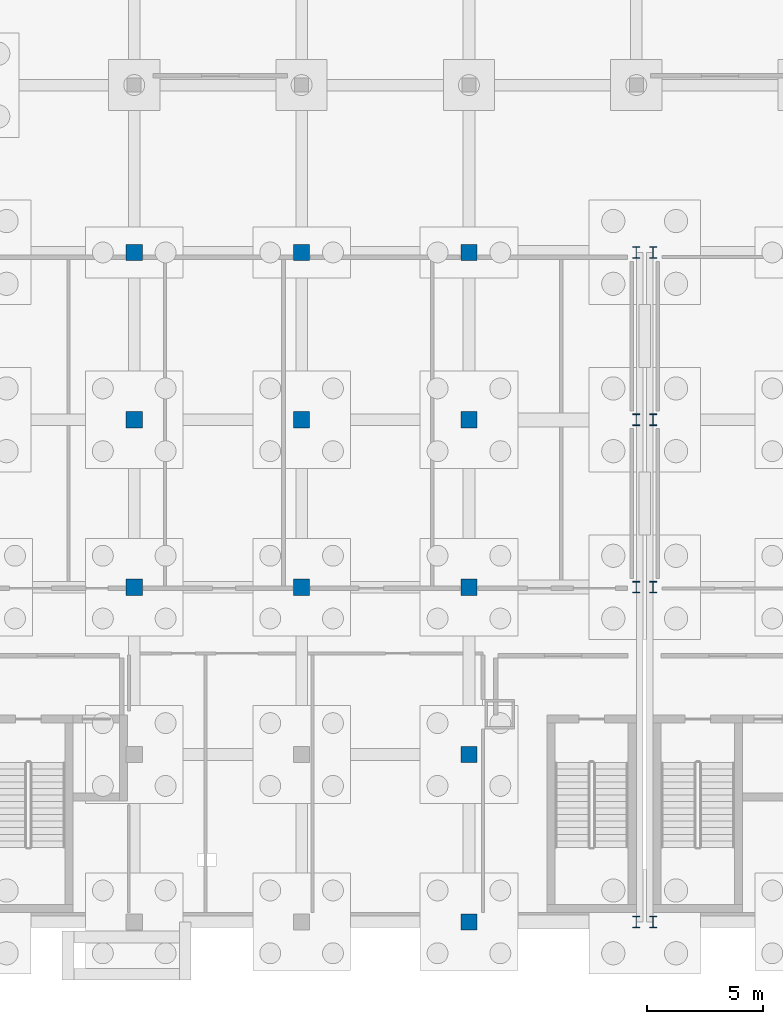
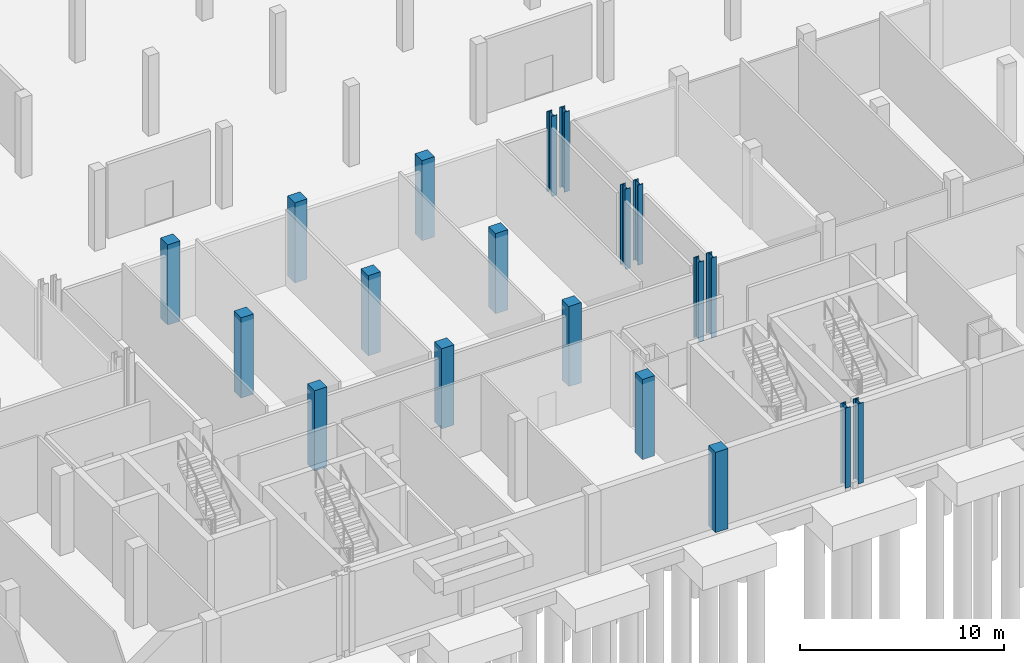
# One storey, part 10 of 35: 19 columns.
"""IFC4 building model written with IfcOpenShell, lengths in metres."""

from ifc_helpers import new_model, si_unit, direction, frame, origin, origin_2d, place, context, subcontext, project, spatial, rectangle, i_section, extrude, material, material_profile, profile_set, type_object, element, save


model = new_model("IFC4")

# Units and contexts
model_context = context("Model", 3, precision=1e-05, world=origin(), true_north=direction((0.0, 1.0)))
body_context = subcontext(model_context, "Body", "Model", "MODEL_VIEW")
ifc_project = project(units=[si_unit("LENGTHUNIT", "METRE"), si_unit("AREAUNIT", "SQUARE_METRE"), si_unit("VOLUMEUNIT", "CUBIC_METRE"), si_unit("PLANEANGLEUNIT", "RADIAN"), si_unit("MASSUNIT", "GRAM", prefix="KILO")], contexts=[model_context])

# Site, building, storey
site_placement = place(None, origin())
site = spatial("IfcSite", under=ifc_project, at=site_placement, CompositionType="ELEMENT")
building_placement = place(site_placement, origin())
building = spatial("IfcBuilding", under=site, at=building_placement, Name="Zarrinpeak Specialist Clinic", CompositionType="ELEMENT")
storey_placement = place(building_placement, frame((0.0, 0.0, -4.800048828125)))
storey = spatial("IfcBuildingStorey", under=building, at=storey_placement, Name="B01", CompositionType="ELEMENT", Elevation=-4.800048828125)

# Columns
ifc_material_1 = material(Name="Steel S355", Category="steel")
ifc_material_profile_1 = material_profile(ifc_material_1, i_section(OverallWidth=0.300048828125, OverallDepth=0.5, WebThickness=0.014404296875, FlangeThickness=0.028076171875, FilletRadius=0.027099609375, at=origin_2d()), Name="HEB 500")
ifc_profile_set_1 = profile_set([ifc_material_profile_1], Name="Steel S355")
column_type_1 = type_object("IfcColumnType", Name="COL-HEB500", PredefinedType="COLUMN", material=ifc_profile_set_1)
for number, where, z_axis, x_axis, name in (
    (1, (57.60009765625, 0.0, 0.0), (0.0, 0.0, 1.0), (1.0, 0.0, 0.0), "B01 Structural Column COL-B01-122"),
    (2, (57.60009765625, 14.39990234375, 0.0), (0.0, 0.0, 1.0), (1.0, 0.0, 0.0), "B01 Structural Column COL-B01-123"),
    (3, (57.60009765625, 21.60009765625, 0.0), (0.0, 0.0, 1.0), (1.0, 0.0, 0.0), "B01 Structural Column COL-B01-124"),
    (4, (57.60009765625, 28.800048828125, 0.0), (0.0, 0.0, 1.0), (1.0, 0.0, 0.0), "B01 Structural Column COL-B01-125"),
    (5, (58.320068359375, 0.0, 0.0), (0.0, 0.0, 1.0), (1.0, 0.0, 0.0), "B01 Structural Column COL-B01-139"),
    (6, (58.320068359375, 14.39990234375, 0.0), (0.0, 0.0, 1.0), (1.0, 0.0, 0.0), "B01 Structural Column COL-B01-140"),
    (7, (58.320068359375, 21.60009765625, 0.0), (0.0, 0.0, 1.0), (1.0, 0.0, 0.0), "B01 Structural Column COL-B01-141"),
    (8, (58.320068359375, 28.800048828125, 0.0), (0.0, 0.0, 1.0), (1.0, 0.0, 0.0), "B01 Structural Column COL-B01-142"),
):
    element("IfcColumn", number, at=place(storey_placement, frame(where, z_axis=z_axis, x_axis=x_axis)), inside=storey, type_object=column_type_1, Name=name, PredefinedType="COLUMN", context=body_context, shape_type="SweptSolid", body=[
        extrude(i_section(OverallWidth=0.300048828125, OverallDepth=0.5, WebThickness=0.014404296875, FlangeThickness=0.028076171875, FilletRadius=0.027099609375, at=origin_2d()), origin(), (0.0, 0.0, 1.0), 4.800048828125),
    ])
ifc_material_2 = material(Name="Concrete C40/50", Category="concrete")
ifc_material_profile_2 = material_profile(ifc_material_2, rectangle(XDim=0.699951171875, YDim=0.699951171875, at=origin_2d()), Name="RC 700x700")
ifc_profile_set_2 = profile_set([ifc_material_profile_2], Name="Concrete C40/50")
column_type_2 = type_object("IfcColumnType", Name="COL-RC700", PredefinedType="COLUMN", material=ifc_profile_set_2)
for number, where, z_axis, x_axis, name in (
    (9, (36.0, 14.39990234375, 0.0), (0.0, 0.0, 1.0), (1.0, 0.0, 0.0), "B01 Structural Column COL-B01-071"),
    (10, (36.0, 21.60009765625, 0.0), (0.0, 0.0, 1.0), (1.0, 0.0, 0.0), "B01 Structural Column COL-B01-072"),
    (11, (36.0, 28.800048828125, 0.0), (0.0, 0.0, 1.0), (1.0, 0.0, 0.0), "B01 Structural Column COL-B01-073"),
    (12, (43.199951171875, 14.39990234375, 0.0), (0.0, 0.0, 1.0), (1.0, 0.0, 0.0), "B01 Structural Column COL-B01-088"),
    (13, (43.199951171875, 21.60009765625, 0.0), (0.0, 0.0, 1.0), (1.0, 0.0, 0.0), "B01 Structural Column COL-B01-089"),
    (14, (43.199951171875, 28.800048828125, 0.0), (0.0, 0.0, 1.0), (1.0, 0.0, 0.0), "B01 Structural Column COL-B01-090"),
    (15, (50.39990234375, 0.0, 0.0), (0.0, 0.0, 1.0), (1.0, 0.0, 0.0), "B01 Structural Column COL-B01-104"),
    (16, (50.39990234375, 7.199951171875, 0.0), (0.0, 0.0, 1.0), (1.0, 0.0, 0.0), "B01 Structural Column COL-B01-105"),
    (17, (50.39990234375, 14.39990234375, 0.0), (0.0, 0.0, 1.0), (1.0, 0.0, 0.0), "B01 Structural Column COL-B01-106"),
    (18, (50.39990234375, 21.60009765625, 0.0), (0.0, 0.0, 1.0), (1.0, 0.0, 0.0), "B01 Structural Column COL-B01-107"),
    (19, (50.39990234375, 28.800048828125, 0.0), (0.0, 0.0, 1.0), (1.0, 0.0, 0.0), "B01 Structural Column COL-B01-108"),
):
    element("IfcColumn", number, at=place(storey_placement, frame(where, z_axis=z_axis, x_axis=x_axis)), inside=storey, type_object=column_type_2, Name=name, PredefinedType="COLUMN", context=body_context, shape_type="SweptSolid", body=[
        extrude(rectangle(XDim=0.699951171875, YDim=0.699951171875, at=origin_2d()), origin(), (0.0, 0.0, 1.0), 4.800048828125),
    ])

save(model, "model.ifc")
